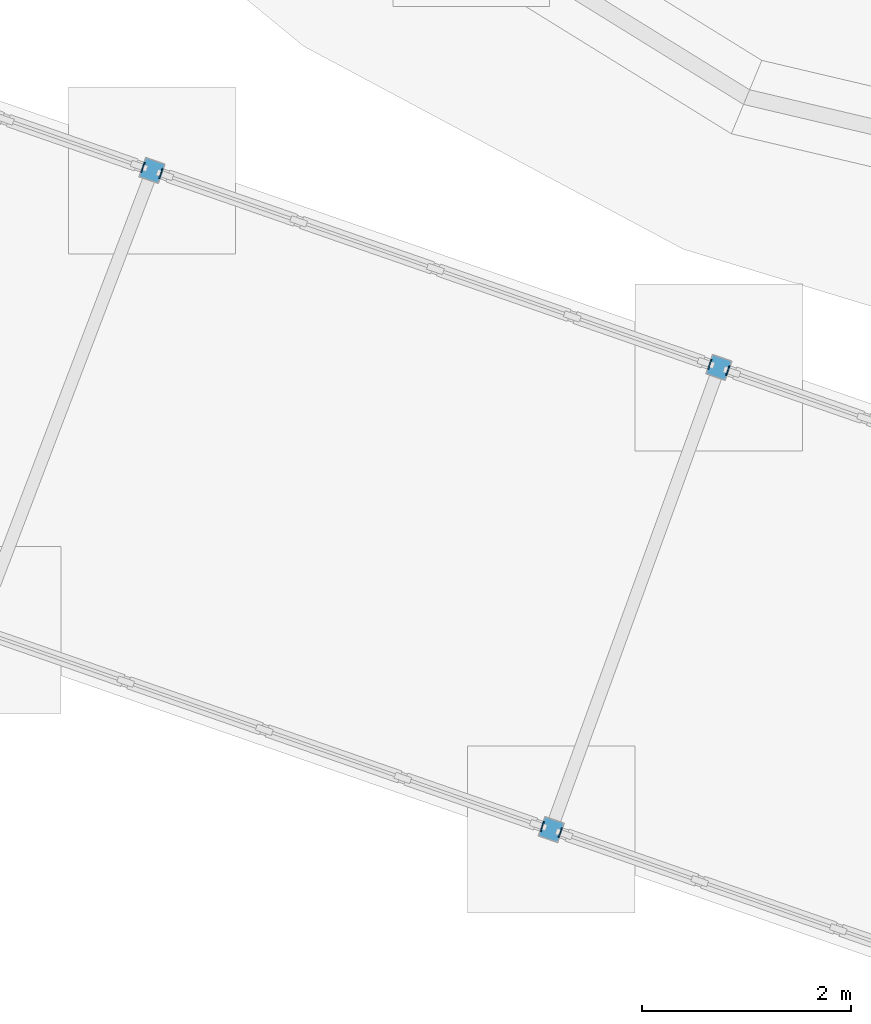
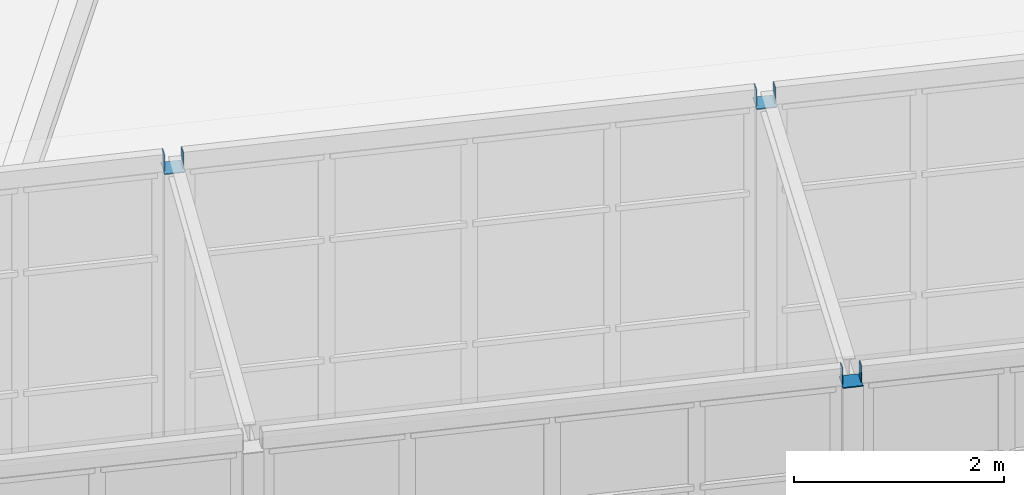
# One storey, part 186 of 226: 9 discrete accessories.
"""IFC4 building model written with IfcOpenShell, lengths in metres."""

from ifc_helpers import new_model, si_unit, direction, frame, origin, origin_2d, place, context, subcontext, project, spatial, rectangle, extrude, material, material_profile, profile_set, type_object, element, save


model = new_model("IFC4")

# Units and contexts
model_context = context("Model", 3, precision=1e-05, world=origin(), true_north=direction((0.0, 1.0)))
body_context = subcontext(model_context, "Body", "Model", "MODEL_VIEW")
ifc_project = project(units=[si_unit("LENGTHUNIT", "METRE"), si_unit("AREAUNIT", "SQUARE_METRE"), si_unit("VOLUMEUNIT", "CUBIC_METRE"), si_unit("PLANEANGLEUNIT", "RADIAN"), si_unit("MASSUNIT", "GRAM", prefix="KILO")], contexts=[model_context])

# Site, building, storey
site_placement = place(None, origin())
site = spatial("IfcSite", under=ifc_project, at=site_placement, CompositionType="ELEMENT")
building_placement = place(site_placement, origin())
building = spatial("IfcBuilding", under=site, at=building_placement, Name="Ceibo Conservatory and Research Tower", CompositionType="ELEMENT")
storey_placement = place(building_placement, origin())
storey = spatial("IfcBuildingStorey", under=building, at=storey_placement, Name="L00", CompositionType="ELEMENT", Elevation=0.0)

# Discrete accessories
ifc_material = material(Name="Steel S355J2", Category="steel")
ifc_material_profile_1 = material_profile(ifc_material, rectangle(XDim=0.10009765625, YDim=0.199951171875, at=origin_2d()), Name="End plate PL 200x100x8")
ifc_profile_set_1 = profile_set([ifc_material_profile_1], Name="Steel S355J2")
discrete_accessory_type_1 = type_object("IfcDiscreteAccessoryType", Name="End plate PL 200x100x8", PredefinedType="USERDEFINED", material=ifc_profile_set_1)
for number, where, z_axis, x_axis, name in (
    (1, (82.78955078125, 64.385009765625, 3.89990234375), (0.941194670762, -0.337864753607, 0.0), (0.337864753607, 0.941194670762, 0.0), "Gallery edge beam AUD-VC-EBN03 end plate"),
    (2, (82.96337890625, 64.324462890625, 3.89990234375), (0.948683298051, -0.316227766017, 0.0), (0.316227766017, 0.948683298051, 0.0), "Gallery edge beam AUD-VC-EBN04 end plate"),
    (3, (88.210205078125, 62.5009765625, 3.89990234375), (0.948683298051, -0.316227766017, 0.0), (0.316227766017, 0.948683298051, 0.0), "Gallery edge beam AUD-VC-EBN04 end plate"),
    (4, (88.384033203125, 62.440673828125, 3.89990234375), (0.941194670762, -0.337864753607, 0.0), (0.337864753607, 0.941194670762, 0.0), "Gallery edge beam AUD-VC-EBN05 end plate"),
    (5, (86.607421875, 58.082275390625, 3.89990234375), (0.948683298051, -0.316227766017, 0.0), (0.316227766017, 0.948683298051, 0.0), "Gallery edge beam AUD-VC-EBS04 end plate"),
    (6, (86.78125, 58.02197265625, 3.89990234375), (0.941194670762, -0.337864753607, 0.0), (0.337864753607, 0.941194670762, 0.0), "Gallery edge beam AUD-VC-EBS05 end plate"),
):
    element("IfcDiscreteAccessory", number, at=place(storey_placement, frame(where, z_axis=z_axis, x_axis=x_axis)), inside=storey, type_object=discrete_accessory_type_1, Name=name, ObjectType="End plate", PredefinedType="USERDEFINED", context=body_context, shape_type="SweptSolid", body=[
        extrude(rectangle(XDim=0.10009765625, YDim=0.199951171875, at=origin_2d()), origin(), (0.0, 0.0, 1.0), 0.010009765625),
    ])
ifc_material_profile_2 = material_profile(ifc_material, rectangle(XDim=0.199951171875, YDim=0.199951171875, at=origin_2d()), Name="End plate PL 200x200x10")
ifc_profile_set_2 = profile_set([ifc_material_profile_2], Name="Steel S355J2")
discrete_accessory_type_2 = type_object("IfcDiscreteAccessoryType", Name="End plate PL 200x200x10", PredefinedType="USERDEFINED", material=ifc_profile_set_2)
for number, where, z_axis, x_axis, name in (
    (7, (82.88134765625, 64.35302734375, 3.798095703125), (0.0, 0.0, 1.0), (0.944579236191, -0.328283515513, 0.0), "Gallery column AUD-VC-CN03 end plate"),
    (8, (88.302001953125, 62.46923828125, 3.798095703125), (0.0, 0.0, 1.0), (0.944579236191, -0.328283515513, 0.0), "Gallery column AUD-VC-CN04 end plate"),
    (9, (86.69921875, 58.050537109375, 3.798095703125), (0.0, 0.0, 1.0), (0.944579236191, -0.328283515513, 0.0), "Gallery column AUD-VC-CS04 end plate"),
):
    element("IfcDiscreteAccessory", number, at=place(storey_placement, frame(where, z_axis=z_axis, x_axis=x_axis)), inside=storey, type_object=discrete_accessory_type_2, Name=name, ObjectType="End plate", PredefinedType="USERDEFINED", context=body_context, shape_type="SweptSolid", body=[
        extrude(rectangle(XDim=0.199951171875, YDim=0.199951171875, at=origin_2d()), origin(), (0.0, 0.0, 1.0), 0.011962890625),
    ])

save(model, "model.ifc")
